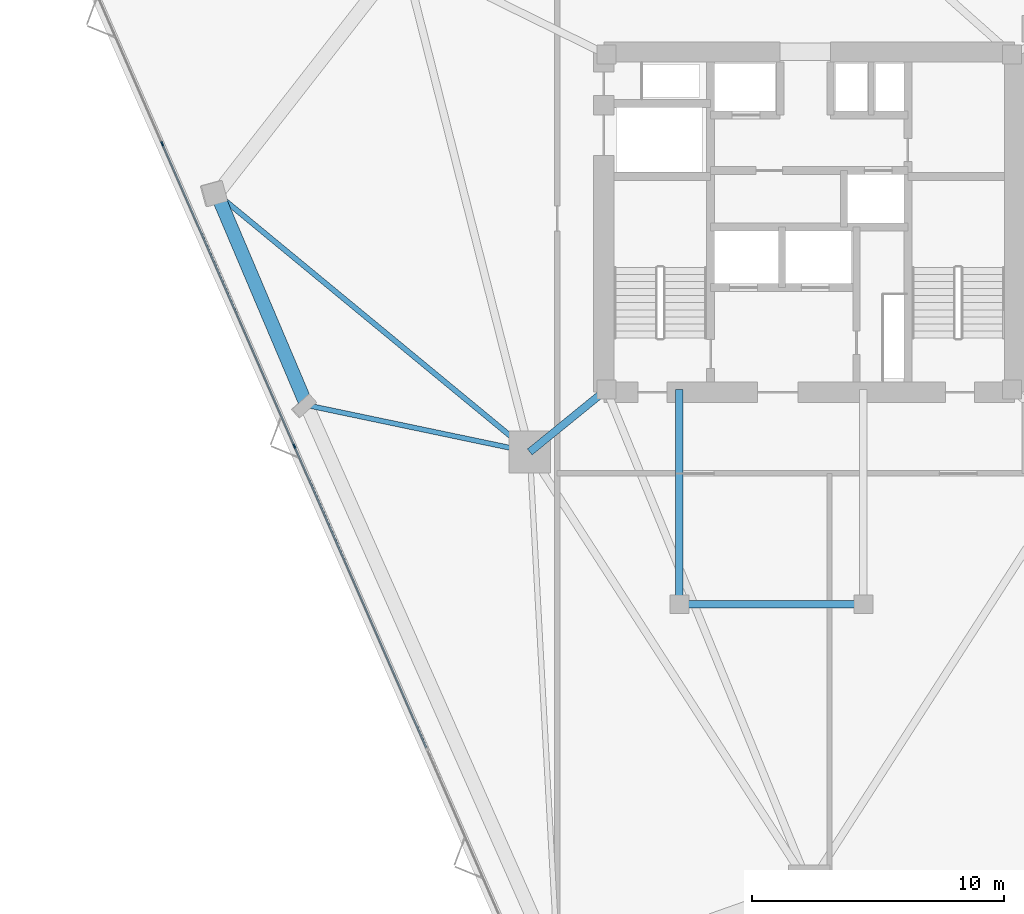
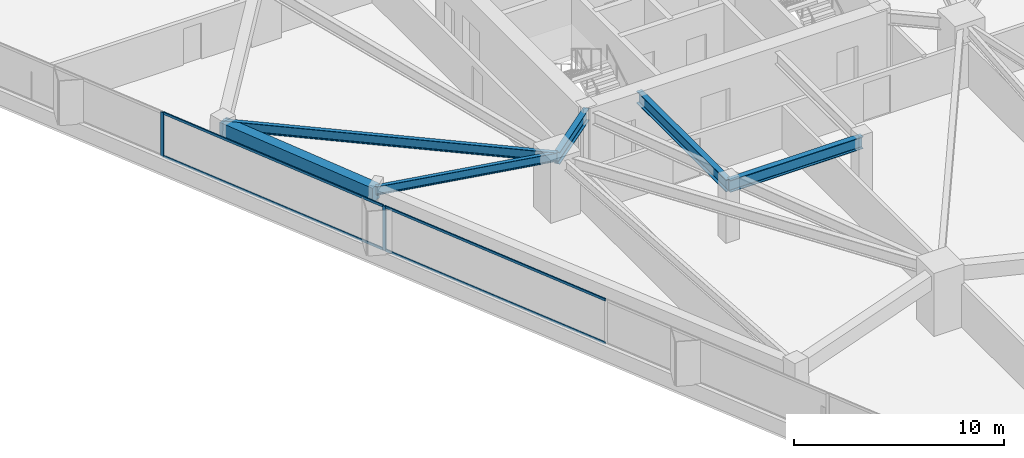
# One storey, part 5 of 17: 6 beams, 6 members, 1 element without a shape of its own.
"""IFC4 building model written with IfcOpenShell, lengths in metres."""

from ifc_helpers import new_model, si_unit, direction, frame, origin, origin_2d, place, context, subcontext, project, spatial, rectangle, i_section, extrude, material, layer, layer_set, material_profile, profile_set, type_object, element, aggregate, save


model = new_model("IFC4")

# Units and contexts
model_context = context("Model", 3, precision=1e-05, world=origin(), true_north=direction((0.0, 1.0)))
body_context = subcontext(model_context, "Body", "Model", "MODEL_VIEW")
ifc_project = project(units=[si_unit("LENGTHUNIT", "METRE"), si_unit("AREAUNIT", "SQUARE_METRE"), si_unit("VOLUMEUNIT", "CUBIC_METRE"), si_unit("PLANEANGLEUNIT", "RADIAN"), si_unit("MASSUNIT", "GRAM", prefix="KILO")], contexts=[model_context])

# Site, building, storey
site_placement = place(None, origin())
site = spatial("IfcSite", under=ifc_project, at=site_placement, CompositionType="ELEMENT")
building_placement = place(site_placement, origin())
building = spatial("IfcBuilding", under=site, at=building_placement, Name="Talyreon Biosciences Tower", CompositionType="ELEMENT")
storey_placement = place(building_placement, frame((0.0, 0.0, 93.25)))
storey = spatial("IfcBuildingStorey", under=building, at=storey_placement, Name="L24", CompositionType="ELEMENT", Elevation=93.25)

# Curtain wall, members
ifc_material_1 = material(Name="Thermally broken aluminium and low-E glazing", Category="aluminium")
ifc_layer = layer(ifc_material_1, 0.18994140625)
ifc_layer_set = layer_set([ifc_layer], Name="Thermally broken aluminium and low-E glazing")
curtain_wall_type = type_object("IfcCurtainWallType", Name="CurtainWall_Zone2Genomics", PredefinedType="NOTDEFINED", material=ifc_layer_set)
curtain_wall_placement = place(storey_placement, origin())
curtain_wall = element("IfcCurtainWall", 1, at=curtain_wall_placement, inside=storey, type_object=curtain_wall_type, Name="L24 Unitised Curtain Wall FCW-L24-00", PredefinedType="NOTDEFINED")
ifc_material_2 = material(Name="Anodised thermally broken aluminium", Category="aluminium")
ifc_material_profile_1 = material_profile(ifc_material_2, rectangle(XDim=0.06494140625, YDim=0.179931640625, at=origin_2d()), Name="ALUM MULLION 65x180")
ifc_profile_set_1 = profile_set([ifc_material_profile_1], Name="Anodised thermally broken aluminium")
member_type_1 = type_object("IfcMemberType", Name="CWMullion_65x180", PredefinedType="MULLION", material=ifc_profile_set_1)
member_1_placement = place(storey_placement, frame((45.5771484375, 59.11083984375, 0.81005859375), z_axis=(0.0, 0.0, 1.0), x_axis=(-0.916278218967, -0.400542414041, 0.0)))
member_1 = element("IfcMember", 2, at=member_1_placement, type_object=member_type_1, Name="CW3 mullion 4", PredefinedType="MULLION", context=body_context, shape_type="SweptSolid", body=[
    extrude(rectangle(XDim=0.06494140625, YDim=0.179931640625, at=origin_2d()), origin(), (0.0, 0.0, 1.0), 2.56494140625),
])
member_2_placement = place(storey_placement, frame((40.333251953125, 71.106689453125, 0.81005859375), z_axis=(0.0, 0.0, 1.0), x_axis=(-0.916278218967, -0.400542414041, 0.0)))
member_2 = element("IfcMember", 3, at=member_2_placement, type_object=member_type_1, Name="CW3 mullion 5", PredefinedType="MULLION", context=body_context, shape_type="SweptSolid", body=[
    extrude(rectangle(XDim=0.06494140625, YDim=0.179931640625, at=origin_2d()), origin(), (0.0, 0.0, 1.0), 2.56494140625),
])
ifc_material_profile_2 = material_profile(ifc_material_2, rectangle(XDim=0.06494140625, YDim=0.139892578125, at=origin_2d()), Name="ALUM TRANSOM 65x140")
ifc_profile_set_2 = profile_set([ifc_material_profile_2], Name="Anodised thermally broken aluminium")
member_type_2 = type_object("IfcMemberType", Name="CWTransom_65x140", PredefinedType="USERDEFINED", material=ifc_profile_set_2)
member_3_placement = place(storey_placement, frame((50.807861328125, 47.14501953125, 0.842529296875), z_axis=(-0.400538617789, 0.916279878454, 0.0), x_axis=(-0.916279878454, -0.400538617789, 0.0)))
member_3 = element("IfcMember", 4, at=member_3_placement, type_object=member_type_2, Name="CW3 transom 3.1", ObjectType="TRANSOM", PredefinedType="USERDEFINED", context=body_context, shape_type="SweptSolid", body=[
    extrude(rectangle(XDim=0.06494140625, YDim=0.139892578125, at=origin_2d()), origin(), (0.0, 0.0, 1.0), 13.02685546875),
])
member_4_placement = place(storey_placement, frame((50.807861328125, 47.14501953125, 3.342529296875), z_axis=(-0.400538617789, 0.916279878454, 0.0), x_axis=(-0.916279878454, -0.400538617789, 0.0)))
member_4 = element("IfcMember", 5, at=member_4_placement, type_object=member_type_2, Name="CW3 transom 3.2", ObjectType="TRANSOM", PredefinedType="USERDEFINED", context=body_context, shape_type="SweptSolid", body=[
    extrude(rectangle(XDim=0.06494140625, YDim=0.139892578125, at=origin_2d()), origin(), (0.0, 0.0, 1.0), 13.02685546875),
])
member_5_placement = place(storey_placement, frame((45.564208984375, 59.140625, 0.842529296875), z_axis=(-0.400554352205, 0.916273000218, 0.0), x_axis=(-0.916273000218, -0.400554352205, 0.0)))
member_5 = element("IfcMember", 6, at=member_5_placement, type_object=member_type_2, Name="CW3 transom 4.1", ObjectType="TRANSOM", PredefinedType="USERDEFINED", context=body_context, shape_type="SweptSolid", body=[
    extrude(rectangle(XDim=0.06494140625, YDim=0.139892578125, at=origin_2d()), origin(), (0.0, 0.0, 1.0), 13.027099609375),
])
member_6_placement = place(storey_placement, frame((45.564208984375, 59.140625, 3.342529296875), z_axis=(-0.400554352205, 0.916273000218, 0.0), x_axis=(-0.916273000218, -0.400554352205, 0.0)))
member_6 = element("IfcMember", 7, at=member_6_placement, type_object=member_type_2, Name="CW3 transom 4.2", ObjectType="TRANSOM", PredefinedType="USERDEFINED", context=body_context, shape_type="SweptSolid", body=[
    extrude(rectangle(XDim=0.06494140625, YDim=0.139892578125, at=origin_2d()), origin(), (0.0, 0.0, 1.0), 13.027099609375),
])
aggregate(curtain_wall, [member_1, member_2, member_3, member_4, member_5, member_6])

# Beams
ifc_material_3 = material(Name="Precast concrete C45/55", Category="concrete")
ifc_material_profile_3 = material_profile(ifc_material_3, rectangle(XDim=0.550048828125, YDim=0.85009765625, at=origin_2d()), Name="RCB 550x850")
ifc_profile_set_3 = profile_set([ifc_material_profile_3], Name="Precast concrete C45/55")
beam_type_1 = type_object("IfcBeamType", Name="ExpressedSpandrel_550x850", PredefinedType="SPANDREL", material=ifc_profile_set_3)
beam_1_placement = place(storey_placement, frame((42.505615234375, 69.115478515625, 2.949951171875), z_axis=(0.390406534749, -0.920642567789, 0.0), x_axis=(0.920642567789, 0.390406534749, 0.0)))
element("IfcBeam", 8, at=beam_1_placement, inside=storey, type_object=beam_type_1, Name="L24 Expressed Horizontal Concrete Spandrel 10", PredefinedType="SPANDREL", context=body_context, shape_type="SweptSolid", body=[
    extrude(rectangle(XDim=0.550048828125, YDim=0.85009765625, at=origin_2d()), origin(), (0.0, 0.0, 1.0), 9.10009765625),
])
ifc_material_4 = material(Name="Steel SM355", Category="steel")
ifc_material_profile_4 = material_profile(ifc_material_4, i_section(OverallWidth=0.300048828125, OverallDepth=0.699951171875, WebThickness=0.01708984375, FlangeThickness=0.031982421875, FilletRadius=0.027099609375, at=origin_2d()), Name="HE700B")
ifc_profile_set_4 = profile_set([ifc_material_profile_4], Name="Steel SM355")
beam_type_2 = type_object("IfcBeamType", Name="SteelGirder_HE700B", PredefinedType="BEAM", material=ifc_profile_set_4)
beam_2_placement = place(storey_placement, frame((57.949951171875, 61.35009765625, 3.02490234375), z_axis=(-0.775755154013, -0.631034025249, 0.0), x_axis=(0.631034025249, -0.775755154013, 0.0)))
element("IfcBeam", 9, at=beam_2_placement, inside=storey, type_object=beam_type_2, Name="L24 Radial Primary Girder 6", PredefinedType="BEAM", context=body_context, shape_type="SweptSolid", body=[
    extrude(i_section(OverallWidth=0.300048828125, OverallDepth=0.699951171875, WebThickness=0.01708984375, FlangeThickness=0.031982421875, FilletRadius=0.027099609375, at=origin_2d()), origin(), (0.0, 0.0, 1.0), 3.913818359375),
])
beam_3_placement = place(storey_placement, frame((60.85009765625, 52.840087890625, 3.02490234375), z_axis=(1.0, 0.0, 0.0), x_axis=(0.0, 1.0, 0.0)))
element("IfcBeam", 10, at=beam_3_placement, inside=storey, type_object=beam_type_2, Name="L24 Crown Shaft Spine Girder S", PredefinedType="BEAM", context=body_context, shape_type="SweptSolid", body=[
    extrude(i_section(OverallWidth=0.300048828125, OverallDepth=0.699951171875, WebThickness=0.01708984375, FlangeThickness=0.031982421875, FilletRadius=0.027099609375, at=origin_2d()), origin(), (0.0, 0.0, 1.0), 7.2998046875),
])
beam_4_placement = place(storey_placement, frame((60.85009765625, 52.840087890625, 3.02490234375), z_axis=(0.0, 1.0, 0.0), x_axis=(-1.0, 0.0, 0.0)))
element("IfcBeam", 11, at=beam_4_placement, inside=storey, type_object=beam_type_2, Name="L24 Crown Shaft Tie Girder W", PredefinedType="BEAM", context=body_context, shape_type="SweptSolid", body=[
    extrude(i_section(OverallWidth=0.300048828125, OverallDepth=0.699951171875, WebThickness=0.01708984375, FlangeThickness=0.031982421875, FilletRadius=0.027099609375, at=origin_2d()), origin(), (0.0, 0.0, 1.0), 8.510009765625),
])
ifc_material_profile_5 = material_profile(ifc_material_4, i_section(OverallWidth=0.199951171875, OverallDepth=0.5, WebThickness=0.01025390625, FlangeThickness=0.01611328125, FilletRadius=0.02099609375, at=origin_2d()), Name="IPE500")
ifc_profile_set_5 = profile_set([ifc_material_profile_5], Name="Steel SM355")
beam_type_3 = type_object("IfcBeamType", Name="SteelJoist_IPE500", PredefinedType="JOIST", material=ifc_profile_set_5)
beam_5_placement = place(storey_placement, frame((54.913818359375, 58.88037109375, 3.125), z_axis=(-0.978708382794, 0.205255697726, 0.0), x_axis=(-0.205255697726, -0.978708382794, 0.0)))
element("IfcBeam", 12, at=beam_5_placement, inside=storey, type_object=beam_type_3, Name="L24 Radial Composite Floor Joist PL-SW", PredefinedType="JOIST", context=body_context, shape_type="SweptSolid", body=[
    extrude(i_section(OverallWidth=0.199951171875, OverallDepth=0.5, WebThickness=0.01025390625, FlangeThickness=0.01611328125, FilletRadius=0.02099609375, at=origin_2d()), origin(), (0.0, 0.0, 1.0), 9.048095703125),
])
ifc_material_profile_6 = material_profile(ifc_material_4, i_section(OverallWidth=0.2099609375, OverallDepth=0.550048828125, WebThickness=0.010986328125, FlangeThickness=0.01708984375, FilletRadius=0.02392578125, at=origin_2d()), Name="IPE550")
ifc_profile_set_6 = profile_set([ifc_material_profile_6], Name="Steel SM355")
beam_type_4 = type_object("IfcBeamType", Name="SteelJoist_IPE550", PredefinedType="JOIST", material=ifc_profile_set_6)
beam_6_placement = place(storey_placement, frame((54.913818359375, 58.88037109375, 3.10009765625), z_axis=(-0.77142394206, 0.636321539489, 0.0), x_axis=(-0.636321539489, -0.77142394206, 0.0)))
element("IfcBeam", 13, at=beam_6_placement, inside=storey, type_object=beam_type_4, Name="L24 Radial Composite Floor Joist PC-SW1", PredefinedType="JOIST", context=body_context, shape_type="SweptSolid", body=[
    extrude(i_section(OverallWidth=0.2099609375, OverallDepth=0.550048828125, WebThickness=0.010986328125, FlangeThickness=0.01708984375, FilletRadius=0.02392578125, at=origin_2d()), origin(), (0.0, 0.0, 1.0), 16.084716796875),
])

save(model, "model.ifc")
